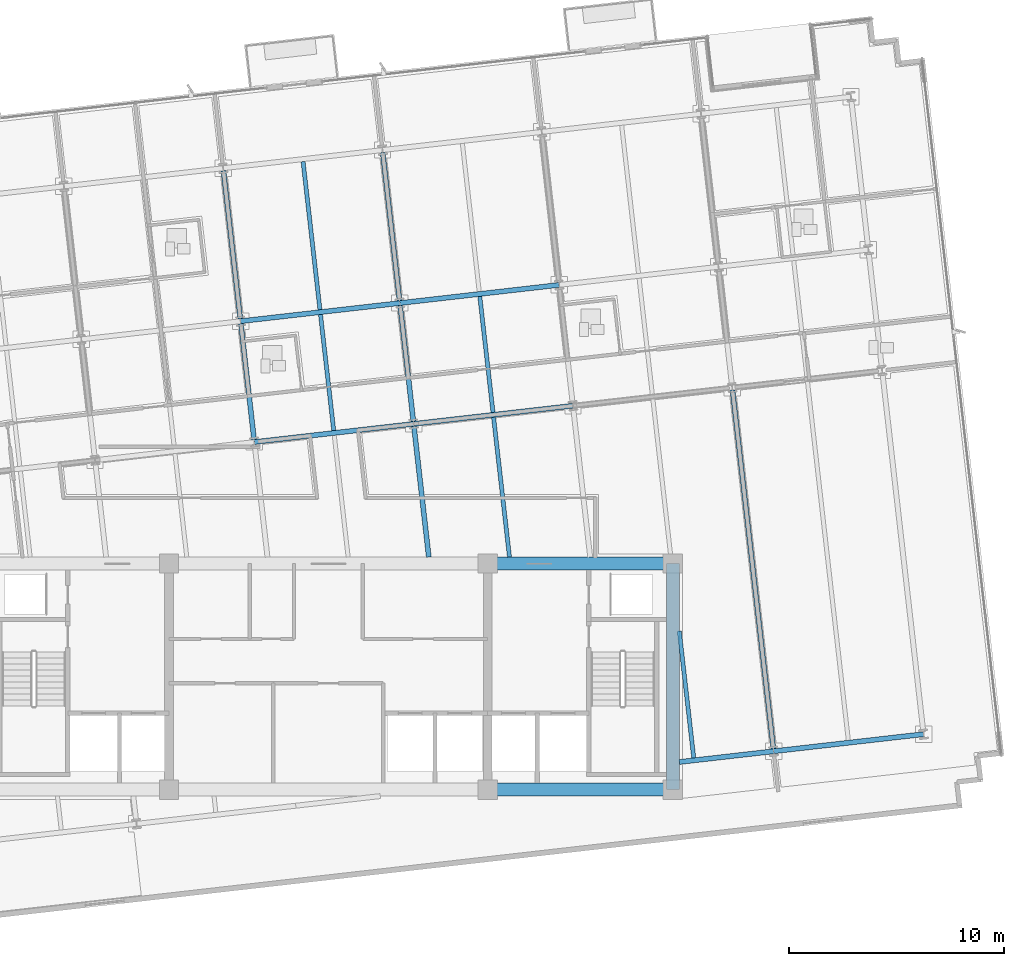
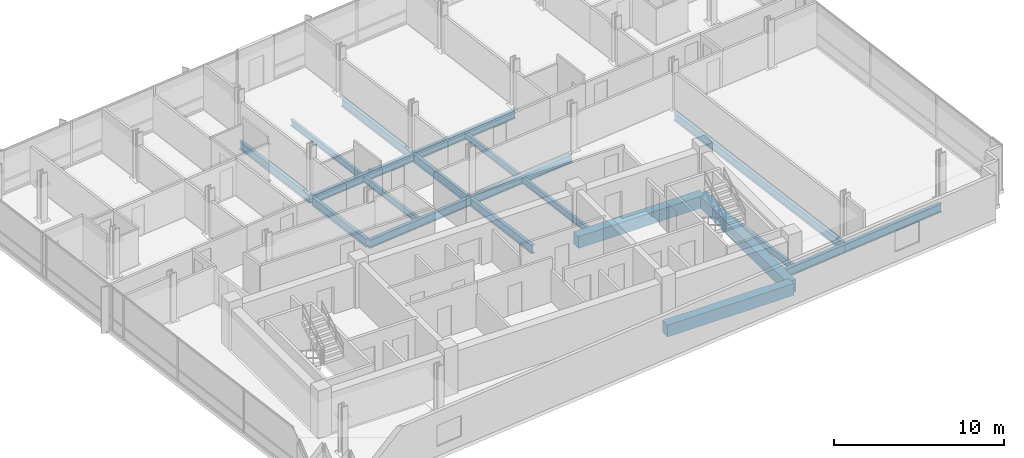
# One storey, part 4 of 16: 20 beams.
"""IFC4 building model written with IfcOpenShell, lengths in metres."""

from ifc_helpers import new_model, si_unit, direction, frame, origin, origin_2d, place, context, subcontext, project, spatial, rectangle, i_section, extrude, material, material_profile, profile_set, type_object, element, save


model = new_model("IFC4")

# Units and contexts
model_context = context("Model", 3, precision=1e-05, world=origin(), true_north=direction((0.0, 1.0)))
body_context = subcontext(model_context, "Body", "Model", "MODEL_VIEW")
ifc_project = project(units=[si_unit("LENGTHUNIT", "METRE"), si_unit("AREAUNIT", "SQUARE_METRE"), si_unit("VOLUMEUNIT", "CUBIC_METRE"), si_unit("PLANEANGLEUNIT", "RADIAN"), si_unit("MASSUNIT", "GRAM", prefix="KILO")], contexts=[model_context])

# Site, building, storey
site_placement = place(None, origin())
site = spatial("IfcSite", under=ifc_project, at=site_placement, CompositionType="ELEMENT")
building_placement = place(site_placement, origin())
building = spatial("IfcBuilding", under=site, at=building_placement, Name="Solmavex Isthmus Hotel", CompositionType="ELEMENT")
storey_placement = place(building_placement, frame((0.0, 0.0, 219.300048828125)))
storey = spatial("IfcBuildingStorey", under=building, at=storey_placement, Name="L59", CompositionType="ELEMENT", Elevation=219.300048828125)

# Beams
ifc_material_1 = material(Name="Steel ASTM A992 Grade 50", Category="steel")
ifc_material_profile_1 = material_profile(ifc_material_1, i_section(OverallWidth=0.1904296875, OverallDepth=0.456787109375, WebThickness=0.009033203125, FlangeThickness=0.014404296875, FilletRadius=0.0126953125, at=origin_2d()), Name="W18X50")
ifc_profile_set_1 = profile_set([ifc_material_profile_1], Name="Steel ASTM A992 Grade 50")
beam_type_1 = type_object("IfcBeamType", Name="BM-BJ-W18X50", PredefinedType="JOIST", material=ifc_profile_set_1)
beam_1_placement = place(storey_placement, frame((0.250244140625, 3.67822265625, -0.488525390625), z_axis=(-0.113194691868, 0.993572826587, 0.0), x_axis=(-0.993572826587, -0.113194691868, 0.0)))
element("IfcBeam", 1, at=beam_1_placement, inside=storey, type_object=beam_type_1, Name="Secondary Floor Joist L59-J10", PredefinedType="JOIST", context=body_context, shape_type="SweptSolid", body=[
    extrude(i_section(OverallWidth=0.1904296875, OverallDepth=0.456787109375, WebThickness=0.009033203125, FlangeThickness=0.014404296875, FilletRadius=0.0126953125, at=origin_2d()), origin(), (0.0, 0.0, 1.0), 5.420166015625),
])
beam_2_placement = place(storey_placement, frame((-0.38916015625, 9.289794921875, -0.488525390625), z_axis=(-0.113202453846, 0.993571942258, 0.0), x_axis=(-0.993571942258, -0.113202453846, 0.0)))
element("IfcBeam", 2, at=beam_2_placement, inside=storey, type_object=beam_type_1, Name="Secondary Floor Joist L59-J11", PredefinedType="JOIST", context=body_context, shape_type="SweptSolid", body=[
    extrude(i_section(OverallWidth=0.1904296875, OverallDepth=0.456787109375, WebThickness=0.009033203125, FlangeThickness=0.014404296875, FilletRadius=0.0126953125, at=origin_2d()), origin(), (0.0, 0.0, 1.0), 6.9228515625),
])
beam_3_placement = place(storey_placement, frame((8.414306640625, -2.199951171875, -0.488525390625), z_axis=(-0.113206345873, 0.993571498813, 0.0), x_axis=(-0.993571498813, -0.113206345873, 0.0)))
element("IfcBeam", 3, at=beam_3_placement, inside=storey, type_object=beam_type_1, Name="Secondary Floor Joist L59-J12", PredefinedType="JOIST", context=body_context, shape_type="SweptSolid", body=[
    extrude(i_section(OverallWidth=0.1904296875, OverallDepth=0.456787109375, WebThickness=0.009033203125, FlangeThickness=0.014404296875, FilletRadius=0.0126953125, at=origin_2d()), origin(), (0.0, 0.0, 1.0), 6.53662109375),
])
beam_4_placement = place(storey_placement, frame((7.6484375, 4.521240234375, -0.488525390625), z_axis=(-0.113194691868, 0.993572826587, 0.0), x_axis=(-0.993572826587, -0.113194691868, 0.0)))
element("IfcBeam", 4, at=beam_4_placement, inside=storey, type_object=beam_type_1, Name="Secondary Floor Joist L59-J13", PredefinedType="JOIST", context=body_context, shape_type="SweptSolid", body=[
    extrude(i_section(OverallWidth=0.1904296875, OverallDepth=0.456787109375, WebThickness=0.009033203125, FlangeThickness=0.014404296875, FilletRadius=0.0126953125, at=origin_2d()), origin(), (0.0, 0.0, 1.0), 5.420166015625),
])
beam_5_placement = place(storey_placement, frame((16.970947265625, -11.525390625, -0.488525390625), z_axis=(-0.113202687678, 0.993571915617, 0.0), x_axis=(-0.993571915617, -0.113202687678, 0.0)))
element("IfcBeam", 5, at=beam_5_placement, inside=storey, type_object=beam_type_1, Name="Secondary Floor Joist L59-J15", PredefinedType="JOIST", context=body_context, shape_type="SweptSolid", body=[
    extrude(i_section(OverallWidth=0.1904296875, OverallDepth=0.456787109375, WebThickness=0.009033203125, FlangeThickness=0.014404296875, FilletRadius=0.0126953125, at=origin_2d()), origin(), (0.0, 0.0, 1.0), 5.926513671875),
])
ifc_material_profile_2 = material_profile(ifc_material_1, i_section(OverallWidth=0.227783203125, OverallDepth=0.602783203125, WebThickness=0.010498046875, FlangeThickness=0.014892578125, FilletRadius=0.01513671875, at=origin_2d()), Name="W24X68")
ifc_profile_set_2 = profile_set([ifc_material_profile_2], Name="Steel ASTM A992 Grade 50")
beam_type_2 = type_object("IfcBeamType", Name="BM-BM-W24X68", PredefinedType="BEAM", material=ifc_profile_set_2)
beam_6_placement = place(storey_placement, frame((-3.435791015625, 3.1435546875, -0.561279296875), z_axis=(0.993569926006, 0.113220148984, 0.0), x_axis=(-0.113220148984, 0.993569926006, 0.0)))
element("IfcBeam", 6, at=beam_6_placement, inside=storey, type_object=beam_type_2, Name="Floor Girder L59-UG08", PredefinedType="BEAM", context=body_context, shape_type="SweptSolid", body=[
    extrude(i_section(OverallWidth=0.227783203125, OverallDepth=0.602783203125, WebThickness=0.010498046875, FlangeThickness=0.014892578125, FilletRadius=0.01513671875, at=origin_2d()), origin(), (0.0, 0.0, 1.0), 7.44580078125),
])
for number, where, z_axis, x_axis, name in (
    (7, (3.962158203125, 3.986572265625, -0.561279296875), (0.993574034044, 0.113184092846, 0.0), (-0.113184092846, 0.993574034044, 0.0), "Floor Girder L59-UG09"),
    (8, (-4.0751953125, 8.75537109375, -0.561279296875), (0.993574034044, 0.113184092846, 0.0), (-0.113184092846, 0.993574034044, 0.0), "Floor Girder L59-UG14"),
):
    element("IfcBeam", number, at=place(storey_placement, frame(where, z_axis=z_axis, x_axis=x_axis)), inside=storey, type_object=beam_type_2, Name=name, PredefinedType="BEAM", context=body_context, shape_type="SweptSolid", body=[
        extrude(i_section(OverallWidth=0.227783203125, OverallDepth=0.602783203125, WebThickness=0.010498046875, FlangeThickness=0.014892578125, FilletRadius=0.01513671875, at=origin_2d()), origin(), (0.0, 0.0, 1.0), 7.446044921875),
    ])
beam_7_placement = place(storey_placement, frame((3.322998046875, 9.59814453125, -0.561279296875), z_axis=(0.993569926006, 0.113220148984, 0.0), x_axis=(-0.113220148984, 0.993569926006, 0.0)))
element("IfcBeam", 9, at=beam_7_placement, inside=storey, type_object=beam_type_2, Name="Floor Girder L59-UG15", PredefinedType="BEAM", context=body_context, shape_type="SweptSolid", body=[
    extrude(i_section(OverallWidth=0.227783203125, OverallDepth=0.602783203125, WebThickness=0.010498046875, FlangeThickness=0.014892578125, FilletRadius=0.01513671875, at=origin_2d()), origin(), (0.0, 0.0, 1.0), 7.44580078125),
])
beam_8_placement = place(storey_placement, frame((-3.44873046875, 3.2568359375, -0.561279296875), z_axis=(-0.113194691868, 0.993572826587, 0.0), x_axis=(-0.993572826587, -0.113194691868, 0.0)))
element("IfcBeam", 10, at=beam_8_placement, inside=storey, type_object=beam_type_2, Name="Floor Beam L59-VG32", PredefinedType="BEAM", context=body_context, shape_type="SweptSolid", body=[
    extrude(i_section(OverallWidth=0.227783203125, OverallDepth=0.602783203125, WebThickness=0.010498046875, FlangeThickness=0.014892578125, FilletRadius=0.01513671875, at=origin_2d()), origin(), (0.0, 0.0, 1.0), 5.420166015625),
])
beam_9_placement = place(storey_placement, frame((-4.088134765625, 8.868408203125, -0.561279296875), z_axis=(-0.113202453846, 0.993571942258, 0.0), x_axis=(-0.993571942258, -0.113202453846, 0.0)))
element("IfcBeam", 11, at=beam_9_placement, inside=storey, type_object=beam_type_2, Name="Floor Beam L59-VG33", PredefinedType="BEAM", context=body_context, shape_type="SweptSolid", body=[
    extrude(i_section(OverallWidth=0.227783203125, OverallDepth=0.602783203125, WebThickness=0.010498046875, FlangeThickness=0.014892578125, FilletRadius=0.01513671875, at=origin_2d()), origin(), (0.0, 0.0, 1.0), 6.9228515625),
])
beam_10_placement = place(storey_placement, frame((4.667236328125, -2.199951171875, -0.561279296875), z_axis=(-0.113232304752, 0.993568540746, 0.0), x_axis=(-0.993568540746, -0.113232304752, 0.0)))
element("IfcBeam", 12, at=beam_10_placement, inside=storey, type_object=beam_type_2, Name="Floor Beam L59-VG34", PredefinedType="BEAM", context=body_context, shape_type="SweptSolid", body=[
    extrude(i_section(OverallWidth=0.227783203125, OverallDepth=0.602783203125, WebThickness=0.010498046875, FlangeThickness=0.014892578125, FilletRadius=0.01513671875, at=origin_2d()), origin(), (0.0, 0.0, 1.0), 6.112548828125),
])
beam_11_placement = place(storey_placement, frame((3.949462890625, 4.099609375, -0.561279296875), z_axis=(-0.113234090386, 0.993568337244, 0.0), x_axis=(-0.993568337244, -0.113234090386, 0.0)))
element("IfcBeam", 13, at=beam_11_placement, inside=storey, type_object=beam_type_2, Name="Floor Beam L59-VG35", PredefinedType="BEAM", context=body_context, shape_type="SweptSolid", body=[
    extrude(i_section(OverallWidth=0.227783203125, OverallDepth=0.602783203125, WebThickness=0.010498046875, FlangeThickness=0.014892578125, FilletRadius=0.01513671875, at=origin_2d()), origin(), (0.0, 0.0, 1.0), 5.42041015625),
])
beam_12_placement = place(storey_placement, frame((3.31005859375, 9.71142578125, -0.561279296875), z_axis=(-0.113202453846, 0.993571942258, 0.0), x_axis=(-0.993571942258, -0.113202453846, 0.0)))
element("IfcBeam", 14, at=beam_12_placement, inside=storey, type_object=beam_type_2, Name="Floor Beam L59-VG36", PredefinedType="BEAM", context=body_context, shape_type="SweptSolid", body=[
    extrude(i_section(OverallWidth=0.227783203125, OverallDepth=0.602783203125, WebThickness=0.010498046875, FlangeThickness=0.014892578125, FilletRadius=0.01513671875, at=origin_2d()), origin(), (0.0, 0.0, 1.0), 6.9228515625),
])
beam_13_placement = place(storey_placement, frame((20.669921875, -11.10400390625, -0.561279296875), z_axis=(-0.113198426291, 0.993572401129, 0.0), x_axis=(-0.993572401129, -0.113198426291, 0.0)))
element("IfcBeam", 15, at=beam_13_placement, inside=storey, type_object=beam_type_2, Name="Floor Beam L59-VG40", PredefinedType="BEAM", context=body_context, shape_type="SweptSolid", body=[
    extrude(i_section(OverallWidth=0.227783203125, OverallDepth=0.602783203125, WebThickness=0.010498046875, FlangeThickness=0.014892578125, FilletRadius=0.01513671875, at=origin_2d()), origin(), (0.0, 0.0, 1.0), 16.77099609375),
])
ifc_material_2 = material(Name="Concrete C50/60", Category="concrete")
ifc_material_profile_3 = material_profile(ifc_material_2, rectangle(XDim=0.60009765625, YDim=0.85009765625, at=origin_2d()), Name="RC600X850")
ifc_profile_set_3 = profile_set([ifc_material_profile_3], Name="Concrete C50/60")
beam_type_3 = type_object("IfcBeamType", Name="BM-CB-600X850", PredefinedType="BEAM", material=ifc_profile_set_3)
for number, where, z_axis, x_axis, name in (
    (16, (7.39990234375, -13.0, -0.68505859375), (1.0, 0.0, 0.0), (0.0, 1.0, 0.0), "Core Coupling Beam L59-CB3"),
    (17, (7.39990234375, -2.5, -0.68505859375), (1.0, 0.0, 0.0), (0.0, 1.0, 0.0), "Core Coupling Beam L59-CB6"),
):
    element("IfcBeam", number, at=place(storey_placement, frame(where, z_axis=z_axis, x_axis=x_axis)), inside=storey, type_object=beam_type_3, Name=name, PredefinedType="BEAM", context=body_context, shape_type="SweptSolid", body=[
        extrude(rectangle(XDim=0.60009765625, YDim=0.85009765625, at=origin_2d()), origin(), (0.0, 0.0, 1.0), 8.60009765625),
    ])
beam_14_placement = place(storey_placement, frame((16.0, -13.0, -0.68505859375), z_axis=(0.0, 1.0, 0.0), x_axis=(-1.0, 0.0, 0.0)))
element("IfcBeam", 18, at=beam_14_placement, inside=storey, type_object=beam_type_3, Name="Core Coupling Beam L59-CB8", PredefinedType="BEAM", context=body_context, shape_type="SweptSolid", body=[
    extrude(rectangle(XDim=0.60009765625, YDim=0.85009765625, at=origin_2d()), origin(), (0.0, 0.0, 1.0), 10.5),
])
ifc_material_profile_4 = material_profile(ifc_material_1, i_section(OverallWidth=0.230224609375, OverallDepth=0.617431640625, WebThickness=0.01318359375, FlangeThickness=0.022216796875, FilletRadius=0.01513671875, at=origin_2d()), Name="W24X94")
ifc_profile_set_4 = profile_set([ifc_material_profile_4], Name="Steel ASTM A992 Grade 50")
beam_type_4 = type_object("IfcBeamType", Name="BM-SP-W24X94", PredefinedType="SPANDREL", material=ifc_profile_set_4)
beam_15_placement = place(storey_placement, frame((16.300048828125, -11.7177734375, -0.56884765625), z_axis=(0.993574880398, 0.113176662976, 0.0), x_axis=(-0.113176662976, 0.993574880398, 0.0)))
element("IfcBeam", 19, at=beam_15_placement, inside=storey, type_object=beam_type_4, Name="Floor Girder L59-UG04", PredefinedType="SPANDREL", context=body_context, shape_type="SweptSolid", body=[
    extrude(i_section(OverallWidth=0.230224609375, OverallDepth=0.617431640625, WebThickness=0.01318359375, FlangeThickness=0.022216796875, FilletRadius=0.01513671875, at=origin_2d()), origin(), (0.0, 0.0, 1.0), 4.411376953125),
])
beam_16_placement = place(storey_placement, frame((20.68310546875, -11.218505859375, -0.56884765625), z_axis=(0.993569675103, 0.113222350774, 0.0), x_axis=(-0.113222350774, 0.993569675103, 0.0)))
element("IfcBeam", 20, at=beam_16_placement, inside=storey, type_object=beam_type_4, Name="Floor Girder L59-UG05", PredefinedType="SPANDREL", context=body_context, shape_type="SweptSolid", body=[
    extrude(i_section(OverallWidth=0.230224609375, OverallDepth=0.617431640625, WebThickness=0.01318359375, FlangeThickness=0.022216796875, FilletRadius=0.01513671875, at=origin_2d()), origin(), (0.0, 0.0, 1.0), 7.008056640625),
])

save(model, "model.ifc")
